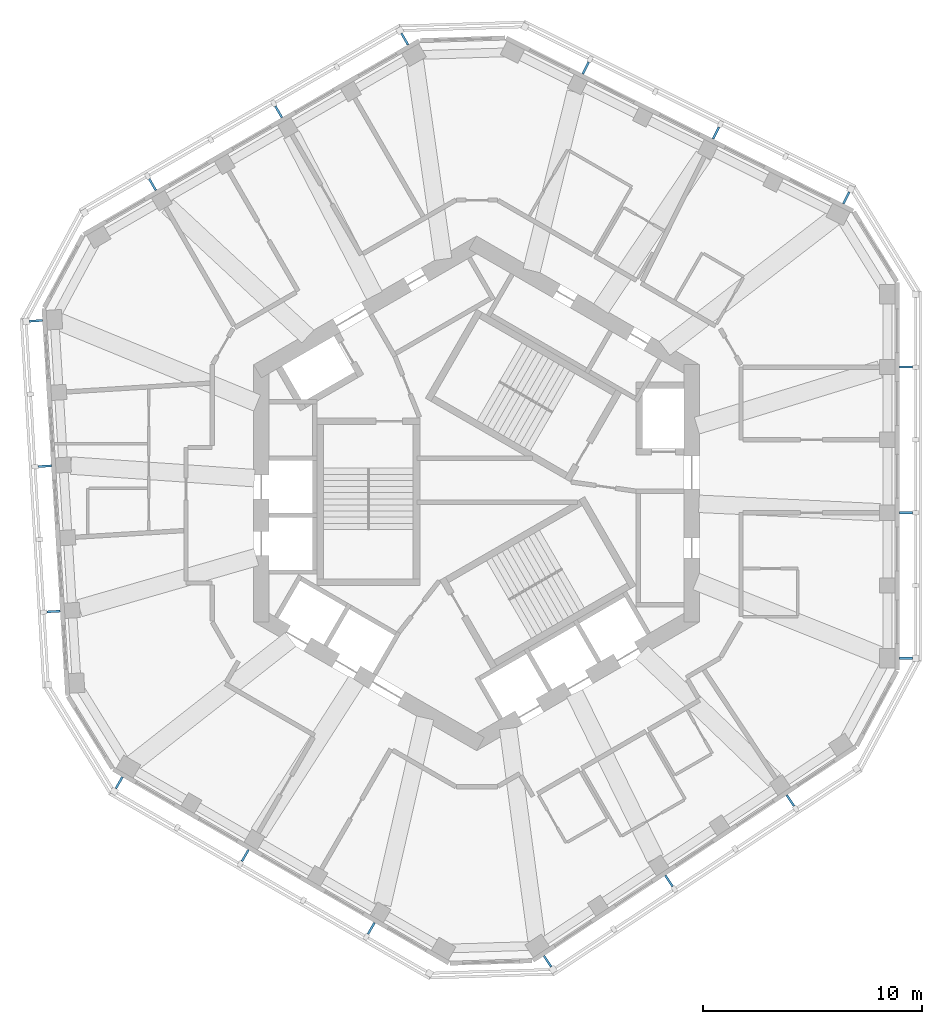
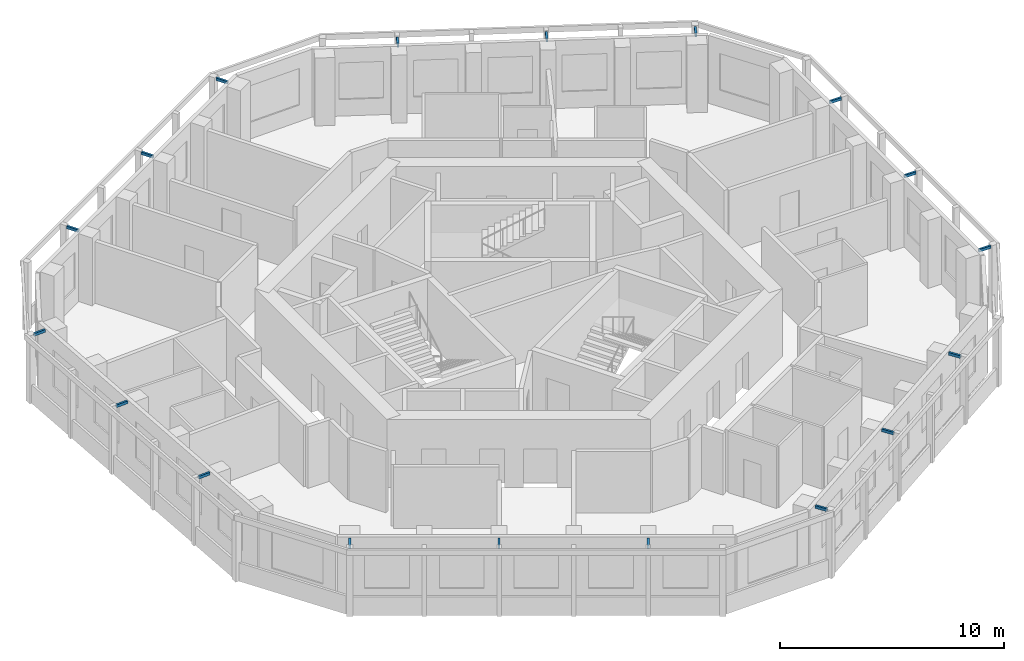
# One storey, part 10 of 11: 18 discrete accessories.
"""IFC4 building model written with IfcOpenShell, lengths in metres."""

from ifc_helpers import new_model, si_unit, direction, frame, origin, origin_2d, place, context, subcontext, project, spatial, rectangle, extrude, material, type_object, element, save


model = new_model("IFC4")

# Units and contexts
model_context = context("Model", 3, precision=1e-05, world=origin(), true_north=direction((0.0, 1.0)))
body_context = subcontext(model_context, "Body", "Model", "MODEL_VIEW")
ifc_project = project(units=[si_unit("LENGTHUNIT", "METRE"), si_unit("AREAUNIT", "SQUARE_METRE"), si_unit("VOLUMEUNIT", "CUBIC_METRE"), si_unit("PLANEANGLEUNIT", "RADIAN"), si_unit("MASSUNIT", "GRAM", prefix="KILO")], contexts=[model_context])

# Site, building, storey
site_placement = place(None, origin())
site = spatial("IfcSite", under=ifc_project, at=site_placement, CompositionType="ELEMENT")
building_placement = place(site_placement, origin())
building = spatial("IfcBuilding", under=site, at=building_placement, Name="Vanh Sen Convention Tower", CompositionType="ELEMENT")
storey_placement = place(building_placement, frame((0.0, 0.0, 296.800048828125)))
storey = spatial("IfcBuildingStorey", under=building, at=storey_placement, Name="L73", CompositionType="ELEMENT", Elevation=296.800048828125)

# Discrete accessories
ifc_material = material(Name="Steel S355", Category="steel")
discrete_accessory_type = type_object("IfcDiscreteAccessoryType", Name="Fin bracket 100 x 150", PredefinedType="BRACKET", material=ifc_material)
for number, where, z_axis, x_axis, name in (
    (1, (19.64990234375, -7.546630859375, 3.5), (0.0, 0.0, 1.0), (1.0, 0.0, 0.0), "Fin bracket E-1 L73"),
    (2, (19.64990234375, -0.88330078125, 3.5), (0.0, 0.0, 1.0), (1.0, 0.0, 0.0), "Fin bracket E-3 L73"),
    (3, (19.64990234375, 5.77978515625, 3.5), (0.0, 0.0, 1.0), (1.0, 0.0, 0.0), "Fin bracket E-5 L73"),
    (4, (16.922119140625, 13.52001953125, 3.5), (0.0, 0.0, 1.0), (0.44619781311, 0.894934361602, 0.0), "Fin bracket NE-1 L73"),
    (5, (10.958740234375, 16.4931640625, 3.5), (0.0, 0.0, 1.0), (0.44619781311, 0.894934361602, 0.0), "Fin bracket NE-3 L73"),
    (6, (4.99560546875, 19.46630859375, 3.5), (0.0, 0.0, 1.0), (0.44619781311, 0.894934361602, 0.0), "Fin bracket NE-5 L73"),
    (7, (-3.289306640625, 20.790771484375, 3.5), (0.0, 0.0, 1.0), (-0.5, 0.866025403784, 0.0), "Fin bracket NW-1 L73"),
    (8, (-9.059814453125, 17.458984375, 3.5), (0.0, 0.0, 1.0), (-0.5, 0.866025403784, 0.0), "Fin bracket NW-3 L73"),
    (9, (-14.83056640625, 14.12744140625, 3.5), (0.0, 0.0, 1.0), (-0.5, 0.866025403784, 0.0), "Fin bracket NW-5 L73"),
    (10, (-20.169677734375, 7.89501953125, 3.5), (0.0, 0.0, 1.0), (-0.998134798422, -0.061048539535, 0.0), "Fin bracket W-1 L73"),
    (11, (-19.7626953125, 1.243896484375, 3.5), (0.0, 0.0, 1.0), (-0.998134798422, -0.061048539535, 0.0), "Fin bracket W-3 L73"),
    (12, (-19.35595703125, -5.40673828125, 3.5), (0.0, 0.0, 1.0), (-0.998134798422, -0.061048539535, 0.0), "Fin bracket W-5 L73"),
    (13, (-16.360595703125, -13.243896484375, 3.5), (0.0, 0.0, 1.0), (-0.5, -0.866025403784, 0.0), "Fin bracket SW-1 L73"),
    (14, (-10.590087890625, -16.57568359375, 3.5), (0.0, 0.0, 1.0), (-0.5, -0.866025403784, 0.0), "Fin bracket SW-3 L73"),
    (15, (-4.819580078125, -19.9072265625, 3.5), (0.0, 0.0, 1.0), (-0.5, -0.866025403784, 0.0), "Fin bracket SW-5 L73"),
    (16, (3.24755859375, -21.414794921875, 3.5), (0.0, 0.0, 1.0), (0.551936985312, -0.833885822067, 0.0), "Fin bracket SE-1 L73"),
    (17, (8.803955078125, -17.737060546875, 3.5), (0.0, 0.0, 1.0), (0.551936985312, -0.833885822067, 0.0), "Fin bracket SE-3 L73"),
    (18, (14.3603515625, -14.059326171875, 3.5), (0.0, 0.0, 1.0), (0.551936985312, -0.833885822067, 0.0), "Fin bracket SE-5 L73"),
):
    element("IfcDiscreteAccessory", number, at=place(storey_placement, frame(where, z_axis=z_axis, x_axis=x_axis)), inside=storey, type_object=discrete_accessory_type, Name=name, PredefinedType="BRACKET", context=body_context, shape_type="SweptSolid", body=[
        extrude(rectangle(XDim=0.60009765625, YDim=0.10009765625, at=origin_2d()), origin(), (0.0, 0.0, 1.0), 0.14990234375),
    ])

save(model, "model.ifc")
